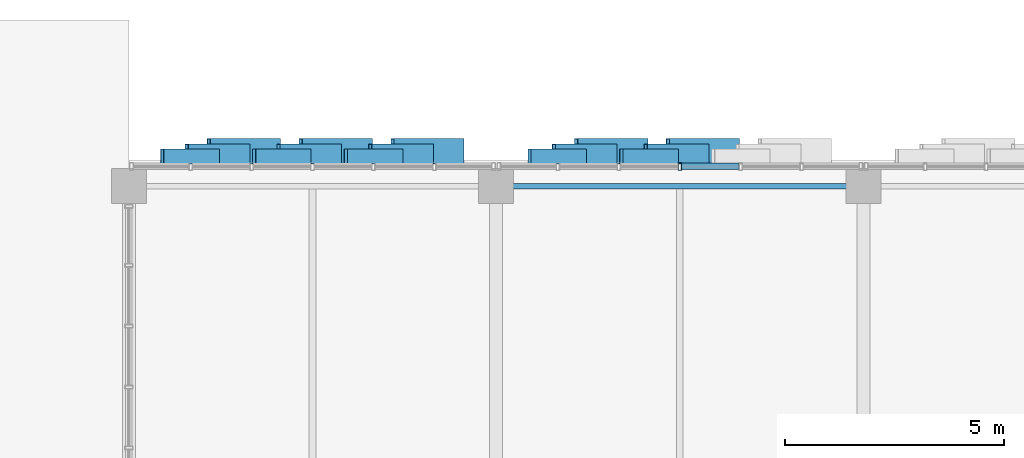
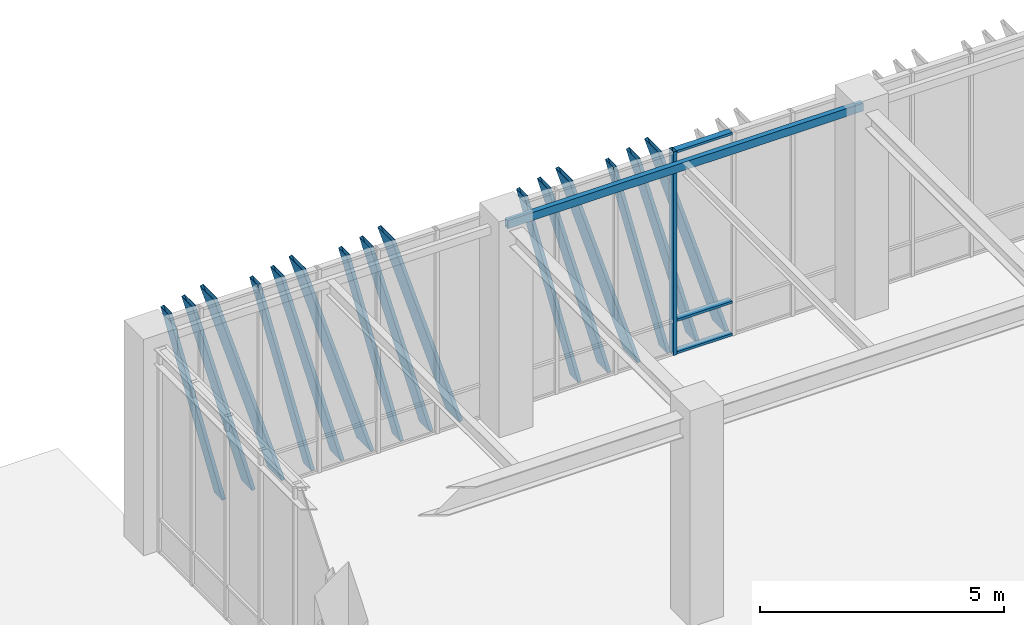
# One storey, part 54 of 139: 19 members, 1 beam, 2 elements without a shape of their own.
"""IFC4 building model written with IfcOpenShell, lengths in metres."""

from ifc_helpers import new_model, si_unit, direction, frame, origin, origin_2d, place, context, subcontext, project, spatial, hollow_rectangle, extrude, material, layer, layer_set, material_profile, profile_set, type_object, element, aggregate, save


model = new_model("IFC4")

# Units and contexts
model_context = context("Model", 3, precision=1e-05, world=origin(), true_north=direction((0.0, 1.0)))
body_context = subcontext(model_context, "Body", "Model", "MODEL_VIEW")
ifc_project = project(units=[si_unit("LENGTHUNIT", "METRE"), si_unit("AREAUNIT", "SQUARE_METRE"), si_unit("VOLUMEUNIT", "CUBIC_METRE"), si_unit("PLANEANGLEUNIT", "RADIAN"), si_unit("MASSUNIT", "GRAM", prefix="KILO")], contexts=[model_context])

# Site, building, storey
site_placement = place(None, origin())
site = spatial("IfcSite", under=ifc_project, at=site_placement, CompositionType="ELEMENT")
building_placement = place(site_placement, origin())
building = spatial("IfcBuilding", under=site, at=building_placement, Name="Zayran Congress Hotel", CompositionType="ELEMENT")
storey_placement = place(building_placement, frame((0.0, 0.0, 5.39990234375)))
storey = spatial("IfcBuildingStorey", under=building, at=storey_placement, Name="L01", CompositionType="ELEMENT", Elevation=5.39990234375)

# Beam
ifc_material_1 = material(Name="Steel S355", Category="steel")
ifc_material_profile_1 = material_profile(ifc_material_1, hollow_rectangle(XDim=0.1201171875, YDim=0.199951171875, WallThickness=0.008056640625, at=origin_2d()), Name="RHS 200x120x8")
ifc_profile_set_1 = profile_set([ifc_material_profile_1], Name="Steel S355")
beam_type = type_object("IfcBeamType", Name="TP-SP-02", PredefinedType="SPANDREL", material=ifc_profile_set_1)
beam_placement = place(storey_placement, frame((67.199951171875, 117.39990234375, 4.97998046875), z_axis=(1.0, 0.0, 0.0), x_axis=(0.0, 1.0, 0.0)))
element("IfcBeam", 1, at=beam_placement, inside=storey, type_object=beam_type, Name="BM-V1-L01-0568", PredefinedType="SPANDREL", context=body_context, shape_type="SweptSolid", body=[
    extrude(hollow_rectangle(XDim=0.1201171875, YDim=0.199951171875, WallThickness=0.008056640625, at=origin_2d()), origin(), (0.0, 0.0, 1.0), 8.400146484375),
])

# Curtain wall, members
ifc_material_2 = material(Name="Anodised aluminium and low-E insulated glass", Category="aluminium")
ifc_layer_1 = layer(ifc_material_2, 0.179931640625)
ifc_layer_set_1 = layer_set([ifc_layer_1], Name="Anodised aluminium and low-E insulated glass")
curtain_wall_type_1 = type_object("IfcCurtainWallType", Name="CW-V1N-L01-CW-22-8360-5080", PredefinedType="USERDEFINED", material=ifc_layer_set_1)
curtain_wall_1_placement = place(storey_placement, origin())
curtain_wall_1 = element("IfcCurtainWall", 2, at=curtain_wall_1_placement, inside=storey, type_object=curtain_wall_type_1, Name="CW-V1N-L01-7", ObjectType="CURTAIN WALL", PredefinedType="USERDEFINED")
ifc_material_3 = material(Name="Anodised aluminium framing", Category="aluminium")
ifc_material_profile_2 = material_profile(ifc_material_3, hollow_rectangle(XDim=0.080078125, YDim=0.179931640625, WallThickness=0.0048828125, at=origin_2d()), Name="RHS 180x80x5")
ifc_profile_set_2 = profile_set([ifc_material_profile_2], Name="Anodised aluminium framing")
member_type_1 = type_object("IfcMemberType", Name="TP-CWM-01", PredefinedType="MULLION", material=ifc_profile_set_2)
member_1_placement = place(storey_placement, frame((71.39990234375, 117.85009765625, 0.0), z_axis=(0.0, 0.0, 1.0), x_axis=(1.0, 0.0, 0.0)))
member_1 = element("IfcMember", 3, at=member_1_placement, type_object=member_type_1, Name="CW-V1N-L01-7-M03", PredefinedType="MULLION", context=body_context, shape_type="SweptSolid", body=[
    extrude(hollow_rectangle(XDim=0.080078125, YDim=0.179931640625, WallThickness=0.0048828125, at=origin_2d()), origin(), (0.0, 0.0, 1.0), 5.080078125),
])
ifc_material_profile_3 = material_profile(ifc_material_3, hollow_rectangle(XDim=0.06005859375, YDim=0.14990234375, WallThickness=0.00390625, at=origin_2d()), Name="RHS 150x60x4")
ifc_profile_set_3 = profile_set([ifc_material_profile_3], Name="Anodised aluminium framing")
member_type_2 = type_object("IfcMemberType", Name="TP-CWT-01", PredefinedType="USERDEFINED", material=ifc_profile_set_3)
member_2_placement = place(storey_placement, frame((72.75341796875, 117.85009765625, 0.030029296875), z_axis=(-1.0, 0.0, 0.0), x_axis=(0.0, 0.0, 1.0)))
member_2 = element("IfcMember", 4, at=member_2_placement, type_object=member_type_2, Name="CW-V1N-L01-7-T02-0", ObjectType="TRANSOM", PredefinedType="USERDEFINED", context=body_context, shape_type="SweptSolid", body=[
    extrude(hollow_rectangle(XDim=0.06005859375, YDim=0.14990234375, WallThickness=0.00390625, at=origin_2d()), origin(), (0.0, 0.0, 1.0), 1.3134765625),
])
member_3_placement = place(storey_placement, frame((72.75341796875, 117.85009765625, 0.840087890625), z_axis=(-1.0, 0.0, 0.0), x_axis=(0.0, 0.0, 1.0)))
member_3 = element("IfcMember", 5, at=member_3_placement, type_object=member_type_2, Name="CW-V1N-L01-7-T02-1", ObjectType="TRANSOM", PredefinedType="USERDEFINED", context=body_context, shape_type="SweptSolid", body=[
    extrude(hollow_rectangle(XDim=0.06005859375, YDim=0.14990234375, WallThickness=0.00390625, at=origin_2d()), origin(), (0.0, 0.0, 1.0), 1.3134765625),
])
member_4_placement = place(storey_placement, frame((72.75341796875, 117.85009765625, 5.050048828125), z_axis=(-1.0, 0.0, 0.0), x_axis=(0.0, 0.0, 1.0)))
member_4 = element("IfcMember", 6, at=member_4_placement, type_object=member_type_2, Name="CW-V1N-L01-7-T02-2", ObjectType="TRANSOM", PredefinedType="USERDEFINED", context=body_context, shape_type="SweptSolid", body=[
    extrude(hollow_rectangle(XDim=0.06005859375, YDim=0.14990234375, WallThickness=0.00390625, at=origin_2d()), origin(), (0.0, 0.0, 1.0), 1.3134765625),
])

ifc_layer_2 = layer(ifc_material_2, 0.179931640625)
ifc_layer_set_2 = layer_set([ifc_layer_2], Name="Anodised aluminium and low-E insulated glass")
curtain_wall_type_2 = type_object("IfcCurtainWallType", Name="CW-V1N-L01-CW-21-8360-5080", PredefinedType="USERDEFINED", material=ifc_layer_set_2)
curtain_wall_2_placement = place(storey_placement, origin())
curtain_wall_2 = element("IfcCurtainWall", 7, at=curtain_wall_2_placement, inside=storey, type_object=curtain_wall_type_2, Name="CW-V1N-L01-6", ObjectType="CURTAIN WALL", PredefinedType="USERDEFINED")
ifc_material_4 = material(Name="Warm bronze anodised aluminium", Category="aluminium")
ifc_material_profile_4 = material_profile(ifc_material_4, hollow_rectangle(XDim=0.080078125, YDim=0.580078125, WallThickness=0.006103515625, at=origin_2d()), Name="RHS 580x80x6")
ifc_profile_set_4 = profile_set([ifc_material_profile_4], Name="Warm bronze anodised aluminium")
member_type_3 = type_object("IfcMemberType", Name="TP-RFN-01", PredefinedType="MULLION", material=ifc_profile_set_4)
member_5_placement = place(storey_placement, frame((66.429931640625, 118.199951171875, 0.0), z_axis=(-0.300675065474, 0.0, 0.953726640606), x_axis=(0.953726640606, 0.0, 0.300675065474)))
member_5 = element("IfcMember", 8, at=member_5_placement, type_object=member_type_3, Name="Slanting Reed Mullion CW-21-01", PredefinedType="MULLION", context=body_context, shape_type="SweptSolid", body=[
    extrude(hollow_rectangle(XDim=0.080078125, YDim=0.580078125, WallThickness=0.006103515625, at=origin_2d()), origin(), (0.0, 0.0, 1.0), 5.32666015625),
])
member_6_placement = place(storey_placement, frame((64.330078125, 118.199951171875, 0.0), z_axis=(-0.300716755525, 0.0, 0.953713496259), x_axis=(0.953713496259, 0.0, 0.300716755525)))
member_6 = element("IfcMember", 9, at=member_6_placement, type_object=member_type_3, Name="Slanting Reed Mullion CW-21-04", PredefinedType="MULLION", context=body_context, shape_type="SweptSolid", body=[
    extrude(hollow_rectangle(XDim=0.080078125, YDim=0.580078125, WallThickness=0.006103515625, at=origin_2d()), origin(), (0.0, 0.0, 1.0), 5.32666015625),
])
member_7_placement = place(storey_placement, frame((62.22998046875, 118.199951171875, 0.0), z_axis=(-0.300675065474, 0.0, 0.953726640606), x_axis=(0.953726640606, 0.0, 0.300675065474)))
member_7 = element("IfcMember", 10, at=member_7_placement, type_object=member_type_3, Name="Slanting Reed Mullion CW-21-07", PredefinedType="MULLION", context=body_context, shape_type="SweptSolid", body=[
    extrude(hollow_rectangle(XDim=0.080078125, YDim=0.580078125, WallThickness=0.006103515625, at=origin_2d()), origin(), (0.0, 0.0, 1.0), 5.32666015625),
])

# Member
member_8_placement = place(storey_placement, frame((72.72998046875, 118.199951171875, 0.0), z_axis=(-0.300675065474, 0.0, 0.953726640606), x_axis=(0.953726640606, 0.0, 0.300675065474)))
member_8 = element("IfcMember", 11, at=member_8_placement, type_object=member_type_3, Name="Slanting Reed Mullion CW-22-04", PredefinedType="MULLION", context=body_context, shape_type="SweptSolid", body=[
    extrude(hollow_rectangle(XDim=0.080078125, YDim=0.580078125, WallThickness=0.006103515625, at=origin_2d()), origin(), (0.0, 0.0, 1.0), 5.32666015625),
])

member_9_placement = place(storey_placement, frame((70.6298828125, 118.199951171875, 0.0), z_axis=(-0.300675065474, 0.0, 0.953726640606), x_axis=(0.953726640606, 0.0, 0.300675065474)))
member_9 = element("IfcMember", 12, at=member_9_placement, type_object=member_type_3, Name="Slanting Reed Mullion CW-22-07", PredefinedType="MULLION", context=body_context, shape_type="SweptSolid", body=[
    extrude(hollow_rectangle(XDim=0.080078125, YDim=0.580078125, WallThickness=0.006103515625, at=origin_2d()), origin(), (0.0, 0.0, 1.0), 5.32666015625),
])

ifc_material_profile_5 = material_profile(ifc_material_4, hollow_rectangle(XDim=0.080078125, YDim=0.449951171875, WallThickness=0.006103515625, at=origin_2d()), Name="RHS 450x80x6")
ifc_profile_set_5 = profile_set([ifc_material_profile_5], Name="Warm bronze anodised aluminium")
member_type_4 = type_object("IfcMemberType", Name="TP-RFN-02", PredefinedType="MULLION", material=ifc_profile_set_5)
member_10_placement = place(storey_placement, frame((65.72998046875, 118.135009765625, 0.0), z_axis=(-0.267213902124, 0.0, 0.963637240102), x_axis=(0.963637240102, 0.0, 0.267213902124)))
member_10 = element("IfcMember", 13, at=member_10_placement, type_object=member_type_4, Name="Slanting Reed Mullion CW-21-02", PredefinedType="MULLION", context=body_context, shape_type="SweptSolid", body=[
    extrude(hollow_rectangle(XDim=0.080078125, YDim=0.449951171875, WallThickness=0.006103515625, at=origin_2d()), origin(), (0.0, 0.0, 1.0), 5.271728515625),
])

member_11_placement = place(storey_placement, frame((63.6298828125, 118.135009765625, 0.0), z_axis=(-0.267213902124, 0.0, 0.963637240102), x_axis=(0.963637240102, 0.0, 0.267213902124)))
member_11 = element("IfcMember", 14, at=member_11_placement, type_object=member_type_4, Name="Slanting Reed Mullion CW-21-05", PredefinedType="MULLION", context=body_context, shape_type="SweptSolid", body=[
    extrude(hollow_rectangle(XDim=0.080078125, YDim=0.449951171875, WallThickness=0.006103515625, at=origin_2d()), origin(), (0.0, 0.0, 1.0), 5.271728515625),
])

member_12_placement = place(storey_placement, frame((61.530029296875, 118.135009765625, 0.0), z_axis=(-0.267256905477, 0.0, 0.96362531436), x_axis=(0.96362531436, 0.0, 0.267256905477)))
member_12 = element("IfcMember", 15, at=member_12_placement, type_object=member_type_4, Name="Slanting Reed Mullion CW-21-08", PredefinedType="MULLION", context=body_context, shape_type="SweptSolid", body=[
    extrude(hollow_rectangle(XDim=0.080078125, YDim=0.449951171875, WallThickness=0.006103515625, at=origin_2d()), origin(), (0.0, 0.0, 1.0), 5.271728515625),
])

member_13_placement = place(storey_placement, frame((72.030029296875, 118.135009765625, 0.0), z_axis=(-0.267256905477, 0.0, 0.96362531436), x_axis=(0.96362531436, 0.0, 0.267256905477)))
member_13 = element("IfcMember", 16, at=member_13_placement, type_object=member_type_4, Name="Slanting Reed Mullion CW-22-05", PredefinedType="MULLION", context=body_context, shape_type="SweptSolid", body=[
    extrude(hollow_rectangle(XDim=0.080078125, YDim=0.449951171875, WallThickness=0.006103515625, at=origin_2d()), origin(), (0.0, 0.0, 1.0), 5.271728515625),
])

member_14_placement = place(storey_placement, frame((69.929931640625, 118.135009765625, 0.0), z_axis=(-0.267213902124, 0.0, 0.963637240102), x_axis=(0.963637240102, 0.0, 0.267213902124)))
member_14 = element("IfcMember", 17, at=member_14_placement, type_object=member_type_4, Name="Slanting Reed Mullion CW-22-08", PredefinedType="MULLION", context=body_context, shape_type="SweptSolid", body=[
    extrude(hollow_rectangle(XDim=0.080078125, YDim=0.449951171875, WallThickness=0.006103515625, at=origin_2d()), origin(), (0.0, 0.0, 1.0), 5.271728515625),
])

ifc_material_profile_6 = material_profile(ifc_material_4, hollow_rectangle(XDim=0.080078125, YDim=0.340087890625, WallThickness=0.006103515625, at=origin_2d()), Name="RHS 340x80x6")
ifc_profile_set_6 = profile_set([ifc_material_profile_6], Name="Warm bronze anodised aluminium")
member_type_5 = type_object("IfcMemberType", Name="TP-RFN-03", PredefinedType="MULLION", material=ifc_profile_set_6)
member_15_placement = place(storey_placement, frame((65.030029296875, 118.080078125, 0.0), z_axis=(-0.241921145618, 0.0, 0.970295913267), x_axis=(0.970295913267, 0.0, 0.241921145618)))
member_15 = element("IfcMember", 18, at=member_15_placement, type_object=member_type_5, Name="Slanting Reed Mullion CW-21-03", PredefinedType="MULLION", context=body_context, shape_type="SweptSolid", body=[
    extrude(hollow_rectangle(XDim=0.080078125, YDim=0.340087890625, WallThickness=0.006103515625, at=origin_2d()), origin(), (0.0, 0.0, 1.0), 5.235595703125),
])

member_16_placement = place(storey_placement, frame((62.929931640625, 118.080078125, 0.0), z_axis=(-0.241921145618, 0.0, 0.970295913267), x_axis=(0.970295913267, 0.0, 0.241921145618)))
member_16 = element("IfcMember", 19, at=member_16_placement, type_object=member_type_5, Name="Slanting Reed Mullion CW-21-06", PredefinedType="MULLION", context=body_context, shape_type="SweptSolid", body=[
    extrude(hollow_rectangle(XDim=0.080078125, YDim=0.340087890625, WallThickness=0.006103515625, at=origin_2d()), origin(), (0.0, 0.0, 1.0), 5.235595703125),
])

member_17_placement = place(storey_placement, frame((60.830078125, 118.080078125, 0.0), z_axis=(-0.241921145618, 0.0, 0.970295913267), x_axis=(0.970295913267, 0.0, 0.241921145618)))
member_17 = element("IfcMember", 20, at=member_17_placement, type_object=member_type_5, Name="Slanting Reed Mullion CW-21-09", PredefinedType="MULLION", context=body_context, shape_type="SweptSolid", body=[
    extrude(hollow_rectangle(XDim=0.080078125, YDim=0.340087890625, WallThickness=0.006103515625, at=origin_2d()), origin(), (0.0, 0.0, 1.0), 5.235595703125),
])

aggregate(curtain_wall_2, [member_5, member_10, member_15, member_6, member_11, member_16, member_7, member_12, member_17])

member_18_placement = place(storey_placement, frame((71.330078125, 118.080078125, 0.0), z_axis=(-0.241921145618, 0.0, 0.970295913267), x_axis=(0.970295913267, 0.0, 0.241921145618)))
member_18 = element("IfcMember", 21, at=member_18_placement, type_object=member_type_5, Name="Slanting Reed Mullion CW-22-06", PredefinedType="MULLION", context=body_context, shape_type="SweptSolid", body=[
    extrude(hollow_rectangle(XDim=0.080078125, YDim=0.340087890625, WallThickness=0.006103515625, at=origin_2d()), origin(), (0.0, 0.0, 1.0), 5.235595703125),
])

member_19_placement = place(storey_placement, frame((69.22998046875, 118.080078125, 0.0), z_axis=(-0.241921145618, 0.0, 0.970295913267), x_axis=(0.970295913267, 0.0, 0.241921145618)))
member_19 = element("IfcMember", 22, at=member_19_placement, type_object=member_type_5, Name="Slanting Reed Mullion CW-22-09", PredefinedType="MULLION", context=body_context, shape_type="SweptSolid", body=[
    extrude(hollow_rectangle(XDim=0.080078125, YDim=0.340087890625, WallThickness=0.006103515625, at=origin_2d()), origin(), (0.0, 0.0, 1.0), 5.235595703125),
])

aggregate(curtain_wall_1, [member_1, member_2, member_3, member_4, member_8, member_13, member_18, member_9, member_14, member_19])

save(model, "model.ifc")
